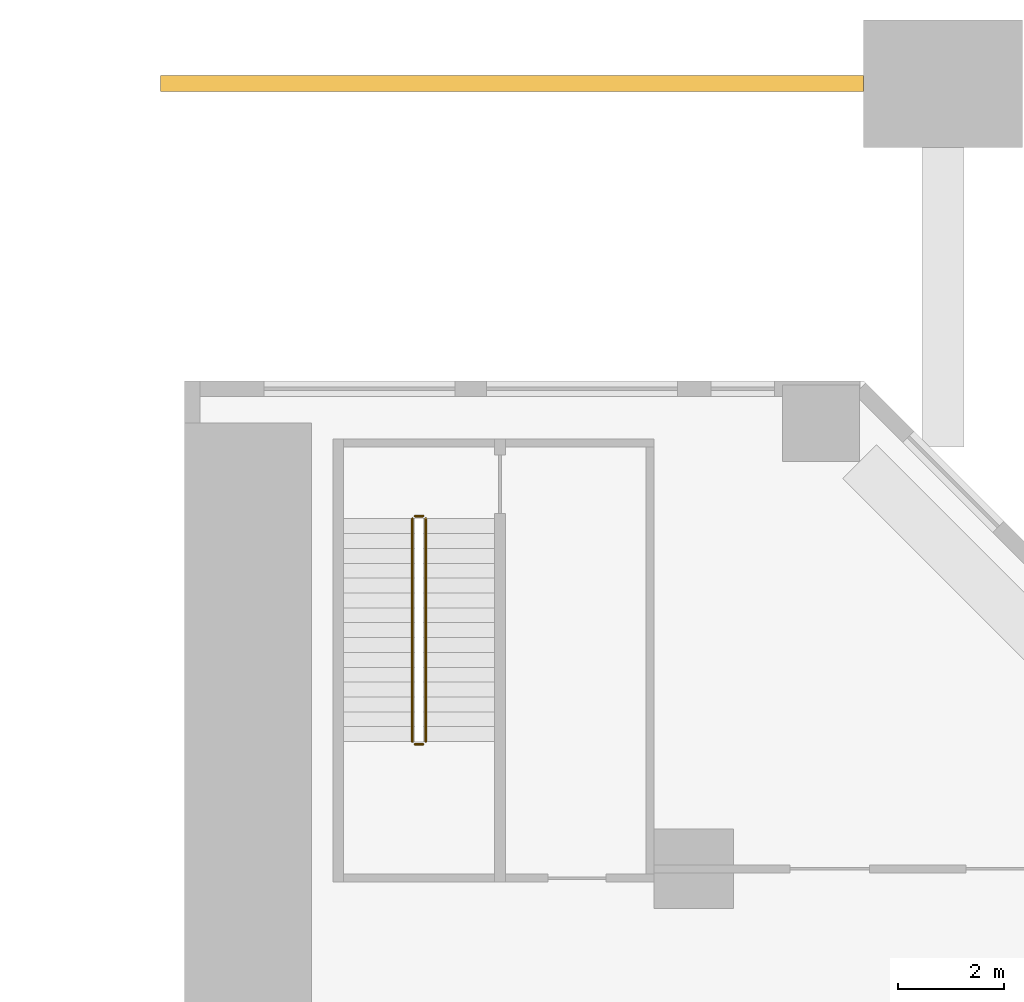
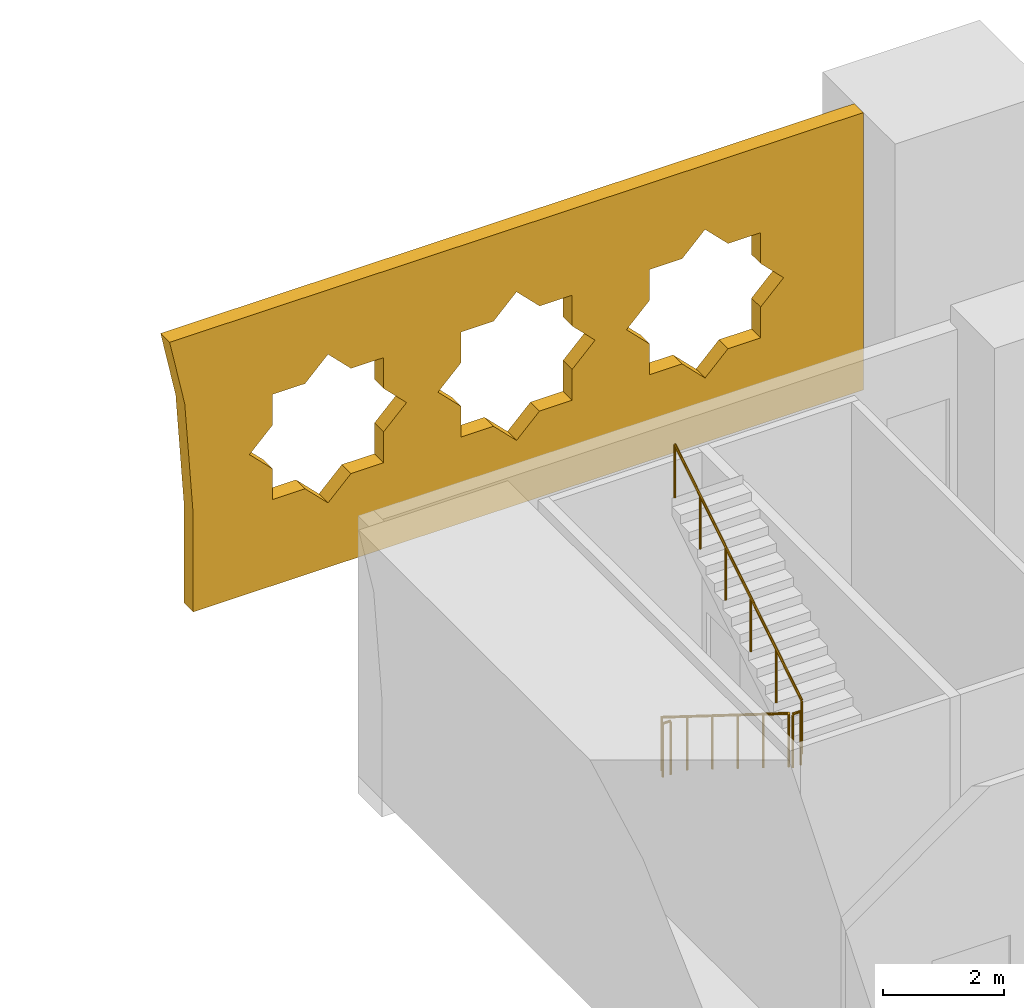
# One storey, part 17 of 17: 4 railings, 1 covering.
"""IFC4 building model written with IfcOpenShell, lengths in metres."""

import ifcopenshell
import ifcopenshell.guid

model = None  # the IFC model being written
_history = None  # IfcOwnerHistory: only IFC2X3 demands one
_inside = {}  # id of a spatial element -> (the spatial element, [elements in it])
_under = {}  # id of a project, library or spatial element -> (it, [spatial elements below it])
_declared = {}  # id of a project -> (the project, [libraries it declares])
_typed = {}  # id of a type object -> (the type object, [elements of that type])
_made_of = {}  # id of a material, layer set ... -> (it, [elements and type objects made of it])


def new_model(schema):
    """Start an empty IFC model of exactly this schema.

    Asked for "IFC4X3", IfcOpenShell would pick the latest addendum, in which some entities
    have other attributes; the version numbers below select the first issue.
    IFC2X3 requires an IfcOwnerHistory on every rooted entity: one is made here for all.
    """
    global model, _history
    if schema == "IFC4X3":
        model = ifcopenshell.file(schema_version=(4, 3, 0, 0))
    else:
        model = ifcopenshell.file(schema=schema)
    _inside.clear()
    _under.clear()
    _declared.clear()
    _typed.clear()
    _made_of.clear()
    _history = None
    if model.schema == "IFC2X3":
        org = make("IfcOrganization", Name="unknown")
        user = make(
            "IfcPersonAndOrganization",
            ThePerson=make("IfcPerson", FamilyName="unknown"),
            TheOrganization=org,
        )
        app = make(
            "IfcApplication",
            ApplicationDeveloper=org,
            Version="unknown",
            ApplicationFullName="unknown",
            ApplicationIdentifier="unknown",
        )
        _history = make(
            "IfcOwnerHistory",
            OwningUser=user,
            OwningApplication=app,
            ChangeAction="ADDED",
            CreationDate=0,
        )
    return model


def make(cls, **values):
    """One entity of the class cls with the attributes given. An attribute that is None is left unset."""
    return model.create_entity(
        cls, **{name: value for name, value in values.items() if value is not None}
    )


def rooted(cls, **values):
    """An entity with a GlobalId (a new one), such as an element, a storey or a relation."""
    return make(cls, GlobalId=ifcopenshell.guid.new(), OwnerHistory=_history, **values)


def si_unit(unit_type, name, prefix=None):
    """IfcSIUnit, for example si_unit("LENGTHUNIT", "METRE", prefix="MILLI")."""
    return make("IfcSIUnit", UnitType=unit_type, Prefix=prefix, Name=name)


def assignment(units):
    """IfcUnitAssignment: the units of a project."""
    return None if units is None else make("IfcUnitAssignment", Units=units)


def point(xyz):
    """IfcCartesianPoint."""
    return None if xyz is None else make("IfcCartesianPoint", Coordinates=xyz)


def direction(xyz):
    """IfcDirection."""
    return None if xyz is None else make("IfcDirection", DirectionRatios=xyz)


def frame(location, z_axis=None, x_axis=None):
    """IfcAxis2Placement3D, a coordinate frame: its origin and axes. An axis left out is left unset."""
    return make(
        "IfcAxis2Placement3D",
        Location=point(location),
        Axis=direction(z_axis),
        RefDirection=direction(x_axis),
    )


def frame_2d(location, x_axis=None):
    """IfcAxis2Placement2D, a coordinate frame in the plane: its origin and x axis."""
    return make(
        "IfcAxis2Placement2D", Location=point(location), RefDirection=direction(x_axis)
    )


def origin():
    """The frame at (0, 0, 0) with its axes left unset."""
    return frame((0.0, 0.0, 0.0))


def origin_2d():
    """The frame at (0, 0) in the plane with its x axis left unset."""
    return frame_2d((0.0, 0.0))


def place(relative_to, where):
    """IfcLocalPlacement: puts the frame where relative to a parent placement (None: the world)."""
    return make(
        "IfcLocalPlacement", PlacementRelTo=relative_to, RelativePlacement=where
    )


def context(
    kind, dimensions, precision=None, world=None, true_north=None, identifier=None
):
    """IfcGeometricRepresentationContext, for example the 3D "Model" context."""
    return make(
        "IfcGeometricRepresentationContext",
        ContextIdentifier=identifier,
        ContextType=kind,
        CoordinateSpaceDimension=dimensions,
        Precision=precision,
        WorldCoordinateSystem=world,
        TrueNorth=true_north,
    )


def subcontext(parent, identifier, kind, view, scale=None):
    """IfcGeometricRepresentationSubContext, for example "Body" below "Model"."""
    return make(
        "IfcGeometricRepresentationSubContext",
        ContextIdentifier=identifier,
        ContextType=kind,
        ParentContext=parent,
        TargetScale=scale,
        TargetView=view,
    )


def project(units=None, contexts=None):
    """IfcProject with its units and contexts."""
    return rooted(
        "IfcProject",
        Name="project",
        RepresentationContexts=contexts,
        UnitsInContext=assignment(units),
    )


def spatial(cls, under=None, at=None, **own):
    """A site, building, storey or space (cls), placed at a placement, below another one or the project."""
    s = rooted(cls, ObjectPlacement=at, **own)
    if under is not None:
        _under.setdefault(under.id(), (under, []))[1].append(s)
    return s


def polyline(points):
    """IfcPolyline through the points."""
    return make("IfcPolyline", Points=[point(p) for p in points])


def profile(cls, at=None, kind="AREA", **sizes):
    """A parametric profile (cls). Its sizes go by their IFC names, for example OverallWidth=200.0."""
    return make(cls, ProfileType=kind, Position=at, **sizes)


def circle(**sizes):
    """IfcCircleProfileDef."""
    return profile("IfcCircleProfileDef", **sizes)


def outline(outer, holes=None, kind="AREA"):
    """IfcArbitraryClosedProfileDef: a profile drawn as a closed curve; with holes, ...WithVoids."""
    if holes is None:
        return make("IfcArbitraryClosedProfileDef", ProfileType=kind, OuterCurve=outer)
    return make(
        "IfcArbitraryProfileDefWithVoids",
        ProfileType=kind,
        OuterCurve=outer,
        InnerCurves=holes,
    )


def extrude(swept, where, along, depth):
    """IfcExtrudedAreaSolid: the profile swept, set in the frame where, extruded along a direction by depth."""
    return make(
        "IfcExtrudedAreaSolid",
        SweptArea=swept,
        Position=where,
        ExtrudedDirection=direction(along),
        Depth=depth,
    )


def shape(context_of_items, identifier, shape_type, items):
    """IfcShapeRepresentation: the items that make up one representation, for example the "Body"."""
    return make(
        "IfcShapeRepresentation",
        ContextOfItems=context_of_items,
        RepresentationIdentifier=identifier,
        RepresentationType=shape_type,
        Items=items,
    )


def material(Name=None, Category=None):
    """IfcMaterial."""
    return make("IfcMaterial", Name=Name, Category=Category)


def layer(
    of_material, thickness, ventilated=None, Name=None, Category=None, Priority=None
):
    """IfcMaterialLayer: one layer of a wall or slab, of a material (None: an air gap)."""
    return make(
        "IfcMaterialLayer",
        Material=of_material,
        LayerThickness=thickness,
        IsVentilated=ventilated,
        Name=Name,
        Category=Category,
        Priority=Priority,
    )


def layer_set(layers, Name=None):
    """IfcMaterialLayerSet."""
    return make("IfcMaterialLayerSet", MaterialLayers=layers, LayerSetName=Name)


def made_of(thing, what):
    """Note that an element or type object is made of a material, layer set ...; save() writes the relation."""
    if what is not None:
        _made_of.setdefault(what.id(), (what, []))[1].append(thing)
    return thing


def type_object(cls, material=None, **own):
    """A type object (cls), such as IfcWallType, which elements share."""
    return made_of(rooted(cls, **own), material)


def element(
    cls,
    number,
    at=None,
    inside=None,
    cuts=None,
    type_object=None,
    material=None,
    context=None,
    identifier="Body",
    shape_type=None,
    held_by="IfcProductDefinitionShape",
    body=None,
    shapes=None,
    **own,
):
    """One element of the class cls, such as IfcWall. Its Tag is "e" and its number.

    at: its placement. inside: the storey or other place that contains it. cuts: it is an
    opening in that element (IfcRelVoidsElement). A single representation is given by context,
    identifier, shape_type and body (its items); several are given by shapes. held_by: the class
    of the entity that holds the representations. save() writes the other relations.
    """
    e = rooted(cls, Tag="e%d" % number, ObjectPlacement=at, **own)
    if body is not None:
        shapes = [shape(context, identifier, shape_type, body)]
    if shapes is not None:
        e.Representation = make(held_by, Representations=shapes)
    if inside is not None:
        _inside.setdefault(inside.id(), (inside, []))[1].append(e)
    if cuts is not None:
        rooted(
            "IfcRelVoidsElement", RelatingBuildingElement=cuts, RelatedOpeningElement=e
        )
    if type_object is not None:
        _typed.setdefault(type_object.id(), (type_object, []))[1].append(e)
    return made_of(e, material)


def aggregate(whole, parts):
    """IfcRelAggregates: a whole, such as a stair, and the parts it consists of."""
    return rooted("IfcRelAggregates", RelatingObject=whole, RelatedObjects=parts)


def save(model, path):
    """Write the relations noted so far, then the file.

    IfcRelAggregates (storeys below a building ...), IfcRelContainedInSpatialStructure (elements
    in a storey), IfcRelDefinesByType, IfcRelAssociatesMaterial and IfcRelDeclares: one each for
    every whole, place, type object, material and project.
    """
    for whole, parts in _under.values():
        aggregate(whole, parts)
    for where, things in _inside.values():
        rooted(
            "IfcRelContainedInSpatialStructure",
            RelatedElements=things,
            RelatingStructure=where,
        )
    for kind, things in _typed.values():
        rooted("IfcRelDefinesByType", RelatedObjects=things, RelatingType=kind)
    for what, things in _made_of.values():
        rooted("IfcRelAssociatesMaterial", RelatedObjects=things, RelatingMaterial=what)
    for by, libraries in _declared.values():
        rooted("IfcRelDeclares", RelatingContext=by, RelatedDefinitions=libraries)
    model.write(path)


model = new_model("IFC4")

# Units and contexts
model_context = context("Model", 3, precision=1e-05, world=origin(), true_north=direction((0.0, 1.0)))
body_context = subcontext(model_context, "Body", "Model", "MODEL_VIEW")
ifc_project = project(units=[si_unit("LENGTHUNIT", "METRE"), si_unit("AREAUNIT", "SQUARE_METRE"), si_unit("VOLUMEUNIT", "CUBIC_METRE"), si_unit("PLANEANGLEUNIT", "RADIAN"), si_unit("MASSUNIT", "GRAM", prefix="KILO")], contexts=[model_context])

# Site, building, storey
site_placement = place(None, origin())
site = spatial("IfcSite", under=ifc_project, at=site_placement, CompositionType="ELEMENT")
building_placement = place(site_placement, origin())
building = spatial("IfcBuilding", under=site, at=building_placement, Name="Kawkab Arch Medical Tower", CompositionType="ELEMENT")
storey_placement = place(building_placement, frame((0.0, 0.0, 7.0)))
storey = spatial("IfcBuildingStorey", under=building, at=storey_placement, Name="L02", CompositionType="ELEMENT", Elevation=7.0)

# Covering
ifc_material_1 = material(Name="Perforated bronze anodised aluminium, eight-point star pattern", Category="aluminium")
ifc_layer = layer(ifc_material_1, 0.300048828125)
ifc_layer_set = layer_set([ifc_layer], Name="Perforated bronze anodised aluminium, eight-point star pattern")
covering_type = type_object("IfcCoveringType", Name="Spandrel star screen 300", PredefinedType="USERDEFINED", material=ifc_layer_set)
covering_placement = place(storey_placement, frame((0.0, 6.550048828125, -7.0), z_axis=(0.0, -1.0, 0.0), x_axis=(1.0, 0.0, 0.0)))
element("IfcCovering", 1, at=covering_placement, inside=storey, type_object=covering_type, Name="Spandrel screen N 1.2", ObjectType="SCREEN", PredefinedType="USERDEFINED", context=body_context, shape_type="SweptSolid", body=[
    extrude(outline(polyline([(87.19873046875, 12.60009765625), (73.952392578125, 12.60009765625), (74.240966796875, 11.256103515625), (74.39990234375, 9.0), (74.39990234375, 7.0), (87.199951171875, 7.0), (87.199951171875, 12.570068359375), (87.19873046875, 12.60009765625)]), holes=[polyline([(78.476318359375, 9.800048828125), (78.036865234375, 10.2392578125), (78.036865234375, 10.860595703125), (77.41552734375, 10.860595703125), (76.976318359375, 11.300048828125), (76.536865234375, 10.860595703125), (75.91552734375, 10.860595703125), (75.91552734375, 10.2392578125), (75.476318359375, 9.800048828125), (75.91552734375, 9.360595703125), (75.91552734375, 8.7392578125), (76.536865234375, 8.7392578125), (76.976318359375, 8.300048828125), (77.41552734375, 8.7392578125), (78.036865234375, 8.7392578125), (78.036865234375, 9.360595703125), (78.476318359375, 9.800048828125)]), polyline([(82.076171875, 9.800048828125), (81.636962890625, 10.2392578125), (81.636962890625, 10.860595703125), (81.015380859375, 10.860595703125), (80.576171875, 11.300048828125), (80.136962890625, 10.860595703125), (79.515380859375, 10.860595703125), (79.515380859375, 10.2392578125), (79.076171875, 9.800048828125), (79.515380859375, 9.360595703125), (79.515380859375, 8.7392578125), (80.136962890625, 8.7392578125), (80.576171875, 8.300048828125), (81.015380859375, 8.7392578125), (81.636962890625, 8.7392578125), (81.636962890625, 9.360595703125), (82.076171875, 9.800048828125)]), polyline([(85.67626953125, 9.800048828125), (85.23681640625, 10.2392578125), (85.23681640625, 10.860595703125), (84.615478515625, 10.860595703125), (84.17626953125, 11.300048828125), (83.73681640625, 10.860595703125), (83.115478515625, 10.860595703125), (83.115478515625, 10.2392578125), (82.67626953125, 9.800048828125), (83.115478515625, 9.360595703125), (83.115478515625, 8.7392578125), (83.73681640625, 8.7392578125), (84.17626953125, 8.300048828125), (84.615478515625, 8.7392578125), (85.23681640625, 8.7392578125), (85.23681640625, 9.360595703125), (85.67626953125, 9.800048828125)])]), origin(), (0.0, 0.0, 1.0), 0.300048828125),
])

# Railings
ifc_material_2 = material(Name="Stainless steel", Category="steel")
railing_type = type_object("IfcRailingType", Name="Stair guard 1100", PredefinedType="GUARDRAIL", material=ifc_material_2)
railing_1_placement = place(storey_placement, frame((78.699951171875, -1.800048828125, 0.175048828125)))
element("IfcRailing", 2, at=railing_1_placement, inside=storey, type_object=railing_type, Name="L02 ST7 stair guard 1", PredefinedType="GUARDRAIL", context=body_context, shape_type="SweptSolid", body=[
    extrude(circle(Radius=0.02392578125, at=origin_2d()), frame((0.0, 0.0, 1.076171875), z_axis=(0.0, -0.847995534698, 0.530003370869), x_axis=(1.0, 0.0, 0.0)), (0.0, 0.0, 1.0), 4.952880859375),
    extrude(circle(Radius=0.02099609375, at=origin_2d()), origin(), (0.0, 0.0, 1.0), 1.052001953125),
    extrude(circle(Radius=0.02099609375, at=origin_2d()), frame((0.0, -0.840087890625, 0.52490234375)), (0.0, 0.0, 1.0), 1.052001953125),
    extrude(circle(Radius=0.02099609375, at=origin_2d()), frame((0.0, -1.679931640625, 1.050048828125)), (0.0, 0.0, 1.0), 1.052001953125),
    extrude(circle(Radius=0.02099609375, at=origin_2d()), frame((0.0, -2.52001953125, 1.574951171875)), (0.0, 0.0, 1.0), 1.052001953125),
    extrude(circle(Radius=0.02099609375, at=origin_2d()), frame((0.0, -3.35986328125, 2.10009765625)), (0.0, 0.0, 1.0), 1.052001953125),
    extrude(circle(Radius=0.02099609375, at=origin_2d()), frame((0.0, -4.199951171875, 2.625)), (0.0, 0.0, 1.0), 1.052001953125),
])
railing_2_placement = place(storey_placement, frame((78.75, -6.050048828125, 2.800048828125)))
element("IfcRailing", 3, at=railing_2_placement, inside=storey, type_object=railing_type, Name="L02 ST7 stair guard 2", PredefinedType="GUARDRAIL", context=body_context, shape_type="SweptSolid", body=[
    extrude(circle(Radius=0.02392578125, at=origin_2d()), frame((0.0, 0.0, 1.076171875), z_axis=(1.0, 0.0, 0.0), x_axis=(0.0, 1.0, 0.0)), (0.0, 0.0, 1.0), 0.14990234375),
    extrude(circle(Radius=0.02099609375, at=origin_2d()), origin(), (0.0, 0.0, 1.0), 1.052001953125),
    extrude(circle(Radius=0.02099609375, at=origin_2d()), frame((0.14990234375, 0.0, 0.0)), (0.0, 0.0, 1.0), 1.052001953125),
])
railing_3_placement = place(storey_placement, frame((78.949951171875, -6.0, 2.97509765625)))
element("IfcRailing", 4, at=railing_3_placement, inside=storey, type_object=railing_type, Name="L02 ST7 stair guard 3", PredefinedType="GUARDRAIL", context=body_context, shape_type="SweptSolid", body=[
    extrude(circle(Radius=0.02392578125, at=origin_2d()), frame((0.0, 0.0, 1.076171875), z_axis=(0.0, 0.847995534698, 0.530003370869), x_axis=(-1.0, 0.0, 0.0)), (0.0, 0.0, 1.0), 4.952880859375),
    extrude(circle(Radius=0.02099609375, at=origin_2d()), origin(), (0.0, 0.0, 1.0), 1.052001953125),
    extrude(circle(Radius=0.02099609375, at=origin_2d()), frame((0.0, 0.840087890625, 0.52490234375)), (0.0, 0.0, 1.0), 1.052001953125),
    extrude(circle(Radius=0.02099609375, at=origin_2d()), frame((0.0, 1.679931640625, 1.050048828125)), (0.0, 0.0, 1.0), 1.052001953125),
    extrude(circle(Radius=0.02099609375, at=origin_2d()), frame((0.0, 2.52001953125, 1.574951171875)), (0.0, 0.0, 1.0), 1.052001953125),
    extrude(circle(Radius=0.02099609375, at=origin_2d()), frame((0.0, 3.35986328125, 2.10009765625)), (0.0, 0.0, 1.0), 1.052001953125),
    extrude(circle(Radius=0.02099609375, at=origin_2d()), frame((0.0, 4.199951171875, 2.625)), (0.0, 0.0, 1.0), 1.052001953125),
])
railing_4_placement = place(storey_placement, frame((78.75, -1.75, 0.0)))
element("IfcRailing", 5, at=railing_4_placement, inside=storey, type_object=railing_type, Name="L02 ST7 stair guard 4", PredefinedType="GUARDRAIL", context=body_context, shape_type="SweptSolid", body=[
    extrude(circle(Radius=0.02392578125, at=origin_2d()), frame((0.0, 0.0, 1.076171875), z_axis=(1.0, 0.0, 0.0), x_axis=(0.0, 1.0, 0.0)), (0.0, 0.0, 1.0), 0.14990234375),
    extrude(circle(Radius=0.02099609375, at=origin_2d()), origin(), (0.0, 0.0, 1.0), 1.052001953125),
    extrude(circle(Radius=0.02099609375, at=origin_2d()), frame((0.14990234375, 0.0, 0.0)), (0.0, 0.0, 1.0), 1.052001953125),
])

save(model, "model.ifc")
